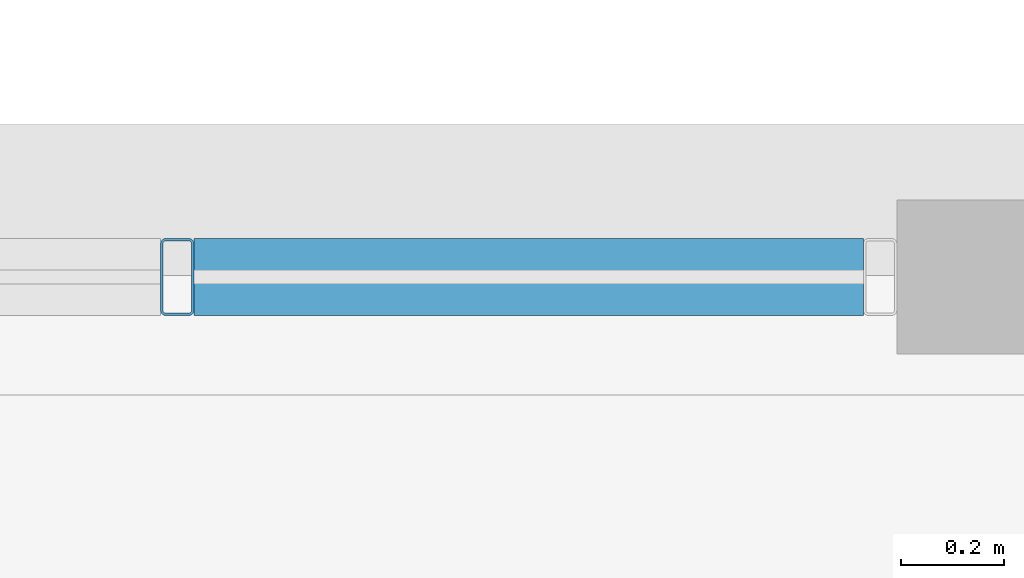
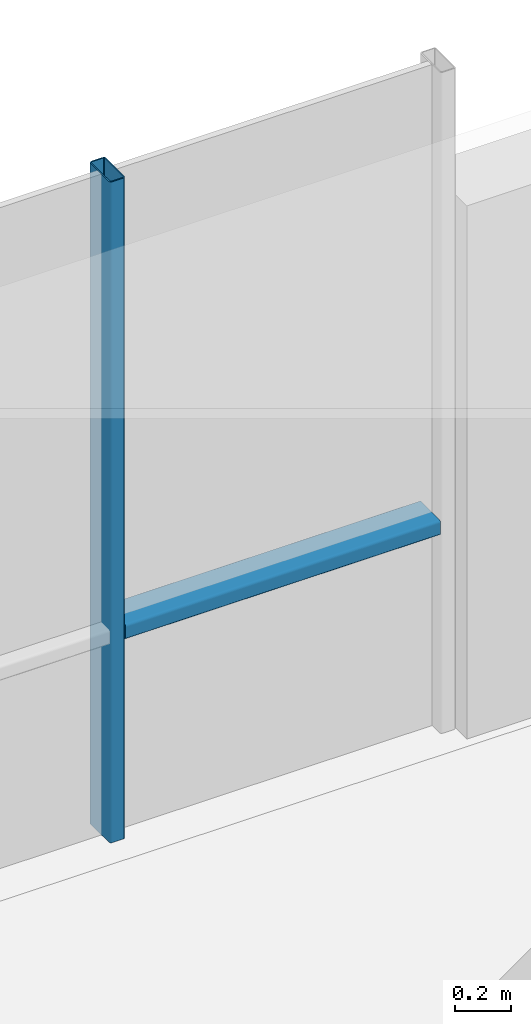
# One storey, part 12 of 35: 2 members, 1 element without a shape of its own.
"""IFC4 building model written with IfcOpenShell, lengths in metres."""

from ifc_helpers import new_model, si_unit, direction, frame, origin, origin_2d, place, context, subcontext, project, spatial, hollow_rectangle, extrude, material, layer, layer_set, material_profile, profile_set, type_object, element, aggregate, save


model = new_model("IFC4")

# Units and contexts
model_context = context("Model", 3, precision=1e-05, world=origin(), true_north=direction((0.0, 1.0)))
body_context = subcontext(model_context, "Body", "Model", "MODEL_VIEW")
ifc_project = project(units=[si_unit("LENGTHUNIT", "METRE"), si_unit("AREAUNIT", "SQUARE_METRE"), si_unit("VOLUMEUNIT", "CUBIC_METRE"), si_unit("PLANEANGLEUNIT", "RADIAN"), si_unit("MASSUNIT", "GRAM", prefix="KILO")], contexts=[model_context])

# Site, building, storey
site_placement = place(None, origin())
site = spatial("IfcSite", under=ifc_project, at=site_placement, CompositionType="ELEMENT")
building_placement = place(site_placement, origin())
building = spatial("IfcBuilding", under=site, at=building_placement, Name="Brevholm Reach", CompositionType="ELEMENT")
storey_placement = place(building_placement, frame((0.0, 0.0, 218.0)))
storey = spatial("IfcBuildingStorey", under=building, at=storey_placement, Name="L66", CompositionType="ELEMENT", Elevation=218.0)

# Curtain wall, members
ifc_material_1 = material(Name="Dark Anodised Aluminium 6063-T6 and Solar-Control Glass", Category="aluminium")
ifc_layer = layer(ifc_material_1, 0.14990234375)
ifc_layer_set = layer_set([ifc_layer], Name="Dark Anodised Aluminium 6063-T6 and Solar-Control Glass")
curtain_wall_type = type_object("IfcCurtainWallType", Name="CW-01", PredefinedType="NOTDEFINED", material=ifc_layer_set)
curtain_wall_placement = place(storey_placement, origin())
curtain_wall = element("IfcCurtainWall", 1, at=curtain_wall_placement, inside=storey, type_object=curtain_wall_type, Name="L66 Curtain Wall CW-01", PredefinedType="NOTDEFINED")
ifc_material_2 = material(Name="Dark Anodised Aluminium 6063-T6", Category="aluminium")
ifc_material_profile_1 = material_profile(ifc_material_2, hollow_rectangle(XDim=0.06494140625, YDim=0.14990234375, WallThickness=0.0048828125, InnerFilletRadius=0.0048828125, OuterFilletRadius=0.010009765625, at=origin_2d()), Name="RHS 150x65x5")
ifc_profile_set_1 = profile_set([ifc_material_profile_1], Name="Dark Anodised Aluminium 6063-T6")
member_type_1 = type_object("IfcMemberType", Name="CWM-150", PredefinedType="MULLION", material=ifc_profile_set_1)
member_1_placement = place(storey_placement, frame((30.800048828125, 26.35009765625, 0.0), z_axis=(0.0, 0.0, 1.0), x_axis=(1.0, 0.0, 0.0)))
member_1 = element("IfcMember", 2, at=member_1_placement, type_object=member_type_1, Name="CM-150 Mullion 2", PredefinedType="MULLION", context=body_context, shape_type="SweptSolid", body=[
    extrude(hollow_rectangle(XDim=0.06494140625, YDim=0.14990234375, WallThickness=0.0048828125, InnerFilletRadius=0.0048828125, OuterFilletRadius=0.010009765625, at=origin_2d()), origin(), (0.0, 0.0, 1.0), 2.889892578125),
])
ifc_material_3 = material(Name="Dark Anodised Aluminium 6063-T6", Category="aluminium")
ifc_material_profile_2 = material_profile(ifc_material_3, hollow_rectangle(XDim=0.06494140625, YDim=0.14990234375, WallThickness=0.0048828125, InnerFilletRadius=0.0048828125, OuterFilletRadius=0.010009765625, at=origin_2d()), Name="RHS 150x65x5")
ifc_profile_set_2 = profile_set([ifc_material_profile_2], Name="Dark Anodised Aluminium 6063-T6")
member_type_2 = type_object("IfcMemberType", Name="CWT-150", PredefinedType="NOTDEFINED", material=ifc_profile_set_2)
member_2_placement = place(storey_placement, frame((30.83251953125, 26.35009765625, 0.89990234375), z_axis=(1.0, 0.0, 0.0), x_axis=(0.0, 0.0, 1.0)))
member_2 = element("IfcMember", 3, at=member_2_placement, type_object=member_type_2, Name="CT-150 Transom 2.1", ObjectType="TRANSOM", PredefinedType="USERDEFINED", context=body_context, shape_type="SweptSolid", body=[
    extrude(hollow_rectangle(XDim=0.06494140625, YDim=0.14990234375, WallThickness=0.0048828125, InnerFilletRadius=0.0048828125, OuterFilletRadius=0.010009765625, at=origin_2d()), origin(), (0.0, 0.0, 1.0), 1.302490234375),
])
aggregate(curtain_wall, [member_1, member_2])

save(model, "model.ifc")
